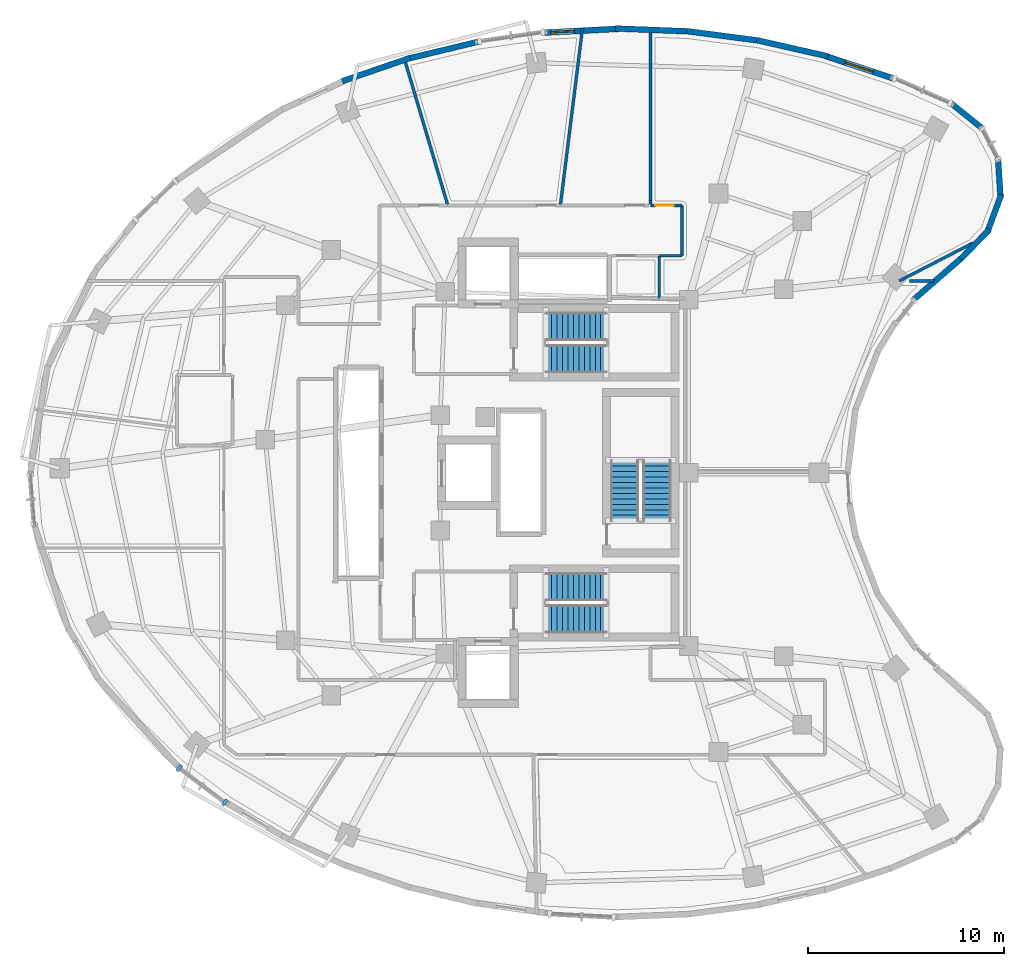
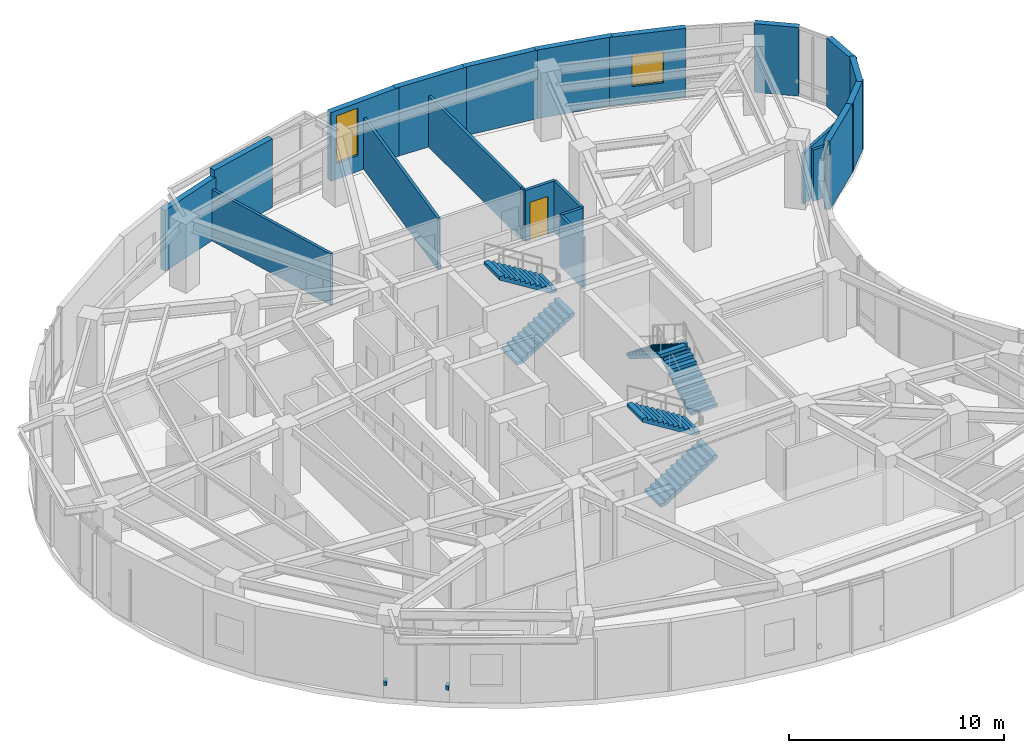
# One storey, part 11 of 15: 22 walls, 6 stair flights, 2 discrete accessories, 2 windows, 1 door, 3 openings, 3 elements without a shape of their own.
"""IFC4 building model written with IfcOpenShell, lengths in metres."""

from ifc_helpers import new_model, si_unit, direction, frame, frame_2d, origin, origin_2d, place, context, subcontext, project, spatial, polyline, rectangle, outline, extrude, material, layer, layer_set, type_object, element, fill, aggregate, save


model = new_model("IFC4")

# Units and contexts
model_context = context("Model", 3, precision=1e-05, world=origin(), true_north=direction((0.0, 1.0)))
body_context = subcontext(model_context, "Body", "Model", "MODEL_VIEW")
ifc_project = project(units=[si_unit("LENGTHUNIT", "METRE"), si_unit("AREAUNIT", "SQUARE_METRE"), si_unit("VOLUMEUNIT", "CUBIC_METRE"), si_unit("PLANEANGLEUNIT", "RADIAN"), si_unit("MASSUNIT", "GRAM", prefix="KILO")], contexts=[model_context])

# Site, building, storey
site_placement = place(None, origin())
site = spatial("IfcSite", under=ifc_project, at=site_placement, CompositionType="ELEMENT")
building_placement = place(site_placement, origin())
building = spatial("IfcBuilding", under=site, at=building_placement, Name="Korentha Bioscience Tower", CompositionType="ELEMENT")
storey_placement = place(building_placement, frame((0.0, 0.0, 218.39990234375)))
storey = spatial("IfcBuildingStorey", under=building, at=storey_placement, Name="L50", CompositionType="ELEMENT", Elevation=218.39990234375)

# Wall, opening, door
ifc_material_1 = material(Name="Double-Stud Acoustic Gypsum", Category="gypsum")
ifc_layer_1 = layer(ifc_material_1, 0.14990234375, Name="Double-Stud Acoustic Gypsum")
ifc_layer_set_1 = layer_set([ifc_layer_1], Name="Double-Stud Acoustic Gypsum (IW-L150)")
wall_type_1 = type_object("IfcWallType", Name="Acoustic Laboratory Partition Wall 150", PredefinedType="PARTITIONING", material=ifc_layer_set_1)
wall_1_placement = place(storey_placement, frame((37.199951171875, 40.659912109375, 0.0), z_axis=(0.0, 0.0, 1.0), x_axis=(-1.0, 0.0, 0.0)))
wall_1 = element("IfcWall", 1, at=wall_1_placement, inside=storey, type_object=wall_type_1, Name="L50 Scientific Writing Quiet Alcove 07 Entrance Wall", PredefinedType="PARTITIONING", context=body_context, shape_type="SweptSolid", body=[
    extrude(rectangle(XDim=1.597900390625, YDim=0.14990234375, at=frame_2d((0.798828125, 0.0))), origin(), (0.0, 0.0, 1.0), 2.91015625),
])
opening_1_placement = place(wall_1_placement, frame((0.407958984375, 0.0, 0.0)))
opening_1 = element("IfcOpeningElement", 2, at=opening_1_placement, cuts=wall_1, Name="Opening ID-10L", PredefinedType="OPENING", context=body_context, shape_type="SweptSolid", body=[
    extrude(rectangle(XDim=0.949951171875, YDim=2.14990234375, at=frame_2d((0.47509765625, 1.074951171875))), frame((0.0, 0.08984375, 0.0), z_axis=(0.0, -1.0, 0.0), x_axis=(1.0, 0.0, 0.0)), (0.0, 0.0, 1.0), 0.1796875),
])
ifc_material_2 = material(Name="Phenolic Laminate Timber Core", Category="wood")
door_type = type_object("IfcDoorType", Name="Laboratory Single Leaf Door 950x2150 Left", OperationType="SINGLE_SWING_LEFT", PredefinedType="DOOR", material=ifc_material_2)
door_placement = place(opening_1_placement, origin())
door = element("IfcDoor", 3, at=door_placement, inside=storey, type_object=door_type, Name="L50 Scientific Writing Quiet Alcove 07 Door", OperationType="SINGLE_SWING_LEFT", OverallHeight=2.14990234375, OverallWidth=0.949951171875, PredefinedType="DOOR", context=body_context, shape_type="SweptSolid", body=[
    extrude(rectangle(XDim=0.949951171875, YDim=2.14990234375, at=frame_2d((0.47509765625, 1.074951171875))), frame((0.0, 0.02490234375, 0.0), z_axis=(0.0, -1.0, 0.0), x_axis=(1.0, 0.0, 0.0)), (0.0, 0.0, 1.0), 0.050048828125),
])
fill(opening_1, door)

# Walls
wall_2_placement = place(storey_placement, frame((35.60205078125, 40.923095703125, 0.0), z_axis=(0.0, 0.0, 1.0), x_axis=(0.0, 1.0, 0.0)))
element("IfcWall", 4, at=wall_2_placement, inside=storey, type_object=wall_type_1, Name="L50 Interior Partition 040", PredefinedType="PARTITIONING", context=body_context, shape_type="SweptSolid", body=[
    extrude(rectangle(XDim=8.833251953125, YDim=0.14990234375, at=frame_2d((4.41650390625, 0.0))), origin(), (0.0, 0.0, 1.0), 2.91015625),
])
wall_3_placement = place(storey_placement, frame((52.0673828125, 38.7421875, 0.0), z_axis=(0.0, 0.0, 1.0), x_axis=(-0.88895746022, -0.457989774907, 0.0)))
element("IfcWall", 5, at=wall_3_placement, inside=storey, type_object=wall_type_1, Name="L50 Interior Partition 041", PredefinedType="PARTITIONING", context=body_context, shape_type="SweptSolid", body=[
    extrude(rectangle(XDim=4.228271484375, YDim=0.14990234375, at=frame_2d((2.1142578125, 0.0))), origin(), (0.0, 0.0, 1.0), 2.91015625),
])
wall_4_placement = place(storey_placement, frame((48.81787109375, 36.798095703125, 0.0), z_axis=(0.0, 0.0, 1.0), x_axis=(1.0, 0.0, 0.0)))
element("IfcWall", 6, at=wall_4_placement, inside=storey, type_object=wall_type_1, Name="L50 Interior Partition 042", PredefinedType="PARTITIONING", context=body_context, shape_type="SweptSolid", body=[
    extrude(rectangle(XDim=1.25927734375, YDim=0.14990234375, at=frame_2d((0.629638671875, 0.0))), origin(), (0.0, 0.0, 1.0), 2.91015625),
])
wall_5_placement = place(storey_placement, frame((36.06005859375, 38.090087890625, 0.0), z_axis=(0.0, 0.0, 1.0), x_axis=(1.0, 0.0, 0.0)))
element("IfcWall", 7, at=wall_5_placement, inside=storey, type_object=wall_type_1, Name="L50 Interior Partition 045", PredefinedType="PARTITIONING", context=body_context, shape_type="SweptSolid", body=[
    extrude(rectangle(XDim=1.139892578125, YDim=0.14990234375, at=frame_2d((0.56982421875, 0.0))), origin(), (0.0, 0.0, 1.0), 2.91015625),
])
wall_6_placement = place(storey_placement, frame((37.2099609375, 38.10009765625, 0.0), z_axis=(0.0, 0.0, 1.0), x_axis=(0.0, 1.0, 0.0)))
element("IfcWall", 8, at=wall_6_placement, inside=storey, type_object=wall_type_1, Name="L50 Interior Partition 046", PredefinedType="PARTITIONING", context=body_context, shape_type="SweptSolid", body=[
    extrude(rectangle(XDim=2.5498046875, YDim=0.14990234375, at=frame_2d((1.27490234375, 0.0))), origin(), (0.0, 0.0, 1.0), 2.91015625),
])
wall_7_placement = place(storey_placement, frame((35.60205078125, 40.738037109375, 0.0), z_axis=(0.0, 0.0, 1.0), x_axis=(0.0, 1.0, 0.0)))
element("IfcWall", 9, at=wall_7_placement, inside=storey, type_object=wall_type_1, Name="L50 Interior Partition 047", PredefinedType="PARTITIONING", context=body_context, shape_type="SweptSolid", body=[
    extrude(rectangle(XDim=0.175048828125, YDim=0.14990234375, at=frame_2d((0.08740234375, 0.0))), origin(), (0.0, 0.0, 1.0), 2.91015625),
])
wall_8_placement = place(storey_placement, frame((30.987060546875, 40.659912109375, 0.0), z_axis=(0.0, 0.0, 1.0), x_axis=(0.123837473271, 0.992302514465, 0.0)))
element("IfcWall", 10, at=wall_8_placement, inside=storey, type_object=wall_type_1, Name="L50 Interior Partition 048", PredefinedType="PARTITIONING", context=body_context, shape_type="SweptSolid", body=[
    extrude(rectangle(XDim=9.1396484375, YDim=0.14990234375, at=frame_2d((4.56982421875, 0.0))), origin(), (0.0, 0.0, 1.0), 2.91015625),
])
wall_9_placement = place(storey_placement, frame((25.23583984375, 40.659912109375, 0.0), z_axis=(0.0, 0.0, 1.0), x_axis=(-0.284007193362, 0.958822149368, 0.0)))
element("IfcWall", 11, at=wall_9_placement, inside=storey, type_object=wall_type_1, Name="L50 Interior Partition 049", PredefinedType="PARTITIONING", context=body_context, shape_type="SweptSolid", body=[
    extrude(rectangle(XDim=7.888916015625, YDim=0.14990234375, at=frame_2d((3.9443359375, 0.0))), origin(), (0.0, 0.0, 1.0), 2.91015625),
])

# Wall, opening, window
ifc_material_3 = material(Name="Honed Limestone Precast Concrete C40", Category="masonry")
ifc_layer_2 = layer(ifc_material_3, 0.300048828125, Name="Honed Limestone Precast Concrete C40")
ifc_layer_set_2 = layer_set([ifc_layer_2], Name="Honed Limestone Precast Concrete C40 (EW-ST300)")
wall_type_2 = type_object("IfcWallType", Name="Honed Limestone Cavity Spandrel Wall 300", PredefinedType="STANDARD", material=ifc_layer_set_2)
wall_10_placement = place(storey_placement, frame((47.97265625, 47.163818359375, 0.0), z_axis=(0.0, 0.0, 1.0), x_axis=(-0.949704682455, 0.313146956114, 0.0)))
wall_10 = element("IfcWall", 12, at=wall_10_placement, inside=storey, type_object=wall_type_2, Name="L50 Honed Limestone Spandrel Wall 02", PredefinedType="STANDARD", context=body_context, shape_type="SweptSolid", body=[
    extrude(rectangle(XDim=3.639404296875, YDim=0.300048828125, at=frame_2d((1.81982421875, 0.0))), origin(), (0.0, 0.0, 1.0), 3.900146484375),
])
opening_2_placement = place(wall_10_placement, frame((1.069580078125, 0.0, 0.949951171875)))
opening_2 = element("IfcOpeningElement", 13, at=opening_2_placement, cuts=wall_10, Name="Opening WN-02", PredefinedType="OPENING", context=body_context, shape_type="SweptSolid", body=[
    extrude(rectangle(XDim=1.5, YDim=1.800048828125, at=frame_2d((0.75, 0.89990234375))), frame((0.0, 0.1650390625, 0.0), z_axis=(0.0, -1.0, 0.0), x_axis=(1.0, 0.0, 0.0)), (0.0, 0.0, 1.0), 0.329833984375),
])
ifc_material_4 = material(Name="Thermally Broken Aluminium Triple Glazing", Category="aluminium")
window_type_1 = type_object("IfcWindowType", Name="Acoustic Operable Office Window 1500x1800", PartitioningType="DOUBLE_PANEL_VERTICAL", PredefinedType="WINDOW", material=ifc_material_4)
window_1_placement = place(opening_2_placement, origin())
window_1 = element("IfcWindow", 14, at=window_1_placement, inside=storey, type_object=window_type_1, Name="L50 Facade Window 02", OverallHeight=1.800048828125, OverallWidth=1.5, PartitioningType="DOUBLE_PANEL_VERTICAL", PredefinedType="WINDOW", context=body_context, shape_type="SweptSolid", body=[
    extrude(rectangle(XDim=1.5, YDim=1.800048828125, at=frame_2d((0.75, 0.89990234375))), frame((0.0, 0.030029296875, 0.0), z_axis=(0.0, -1.0, 0.0), x_axis=(1.0, 0.0, 0.0)), (0.0, 0.0, 1.0), 0.06005859375),
])
fill(opening_2, window_1)

wall_11_placement = place(storey_placement, frame((33.95849609375, 49.6875, 0.0), z_axis=(0.0, 0.0, 1.0), x_axis=(-0.998693948377, -0.051092049037, 0.0)))
wall_11 = element("IfcWall", 15, at=wall_11_placement, inside=storey, type_object=wall_type_2, Name="L50 Honed Limestone Spandrel Wall 06", PredefinedType="STANDARD", context=body_context, shape_type="SweptSolid", body=[
    extrude(rectangle(XDim=3.765380859375, YDim=0.300048828125, at=frame_2d((1.8828125, 0.0))), origin(), (0.0, 0.0, 1.0), 3.900146484375),
])
opening_3_placement = place(wall_11_placement, frame((2.256591796875, 0.0, 0.89990234375)))
opening_3 = element("IfcOpeningElement", 16, at=opening_3_placement, cuts=wall_11, Name="Opening WN-03", PredefinedType="OPENING", context=body_context, shape_type="SweptSolid", body=[
    extrude(rectangle(XDim=1.199951171875, YDim=2.699951171875, at=frame_2d((0.60009765625, 1.35009765625))), frame((0.0, 0.1650390625, 0.0), z_axis=(0.0, -1.0, 0.0), x_axis=(1.0, 0.0, 0.0)), (0.0, 0.0, 1.0), 0.329833984375),
])
window_type_2 = type_object("IfcWindowType", Name="Theatre Foyer Tall Ribbon Window 1200x2700", PartitioningType="SINGLE_PANEL", PredefinedType="WINDOW", material=ifc_material_4)
window_2_placement = place(opening_3_placement, origin())
window_2 = element("IfcWindow", 17, at=window_2_placement, inside=storey, type_object=window_type_2, Name="L50 Facade Window 06", OverallHeight=2.699951171875, OverallWidth=1.199951171875, PartitioningType="SINGLE_PANEL", PredefinedType="WINDOW", context=body_context, shape_type="SweptSolid", body=[
    extrude(rectangle(XDim=1.199951171875, YDim=2.699951171875, at=frame_2d((0.60009765625, 1.35009765625))), frame((0.0, 0.030029296875, 0.0), z_axis=(0.0, -1.0, 0.0), x_axis=(1.0, 0.0, 0.0)), (0.0, 0.0, 1.0), 0.06005859375),
])
fill(opening_3, window_2)

# Walls
wall_12_placement = place(storey_placement, frame((44.67041015625, 48.282470703125, 0.0), z_axis=(0.0, 0.0, 1.0), x_axis=(-0.975241674184, 0.221141757557, 0.0)))
element("IfcWall", 18, at=wall_12_placement, inside=storey, type_object=wall_type_2, Name="L50 Limestone Perimeter Closure Wall 03", PredefinedType="STANDARD", context=body_context, shape_type="SweptSolid", body=[
    extrude(rectangle(XDim=3.74267578125, YDim=0.300048828125, at=frame_2d((1.871337890625, 0.0))), origin(), (0.0, 0.0, 1.0), 3.900146484375),
])
wall_13_placement = place(storey_placement, frame((41.190673828125, 49.079833984375, 0.0), z_axis=(0.0, 0.0, 1.0), x_axis=(-0.991512801574, 0.130009093201, 0.0)))
element("IfcWall", 19, at=wall_13_placement, inside=storey, type_object=wall_type_2, Name="L50 Limestone Perimeter Closure Wall 04", PredefinedType="STANDARD", context=body_context, shape_type="SweptSolid", body=[
    extrude(rectangle(XDim=3.785888671875, YDim=0.300048828125, at=frame_2d((1.89306640625, 0.0))), origin(), (0.0, 0.0, 1.0), 3.900146484375),
])
wall_14_placement = place(storey_placement, frame((37.60888671875, 49.557373046875, 0.0), z_axis=(0.0, 0.0, 1.0), x_axis=(-0.999221923177, 0.039440439173, 0.0)))
element("IfcWall", 20, at=wall_14_placement, inside=storey, type_object=wall_type_2, Name="L50 Limestone Perimeter Closure Wall 05", PredefinedType="STANDARD", context=body_context, shape_type="SweptSolid", body=[
    extrude(rectangle(XDim=3.806884765625, YDim=0.300048828125, at=frame_2d((1.9033203125, 0.0))), origin(), (0.0, 0.0, 1.0), 3.900146484375),
])
wall_15_placement = place(storey_placement, frame((26.775146484375, 49.027099609375, 0.0), z_axis=(0.0, 0.0, 1.0), x_axis=(-0.972475629939, -0.233004611918, 0.0)))
element("IfcWall", 21, at=wall_15_placement, inside=storey, type_object=wall_type_2, Name="L50 Limestone Perimeter Closure Wall 08", PredefinedType="STANDARD", context=body_context, shape_type="SweptSolid", body=[
    extrude(rectangle(XDim=3.7353515625, YDim=0.300048828125, at=frame_2d((1.86767578125, 0.0))), origin(), (0.0, 0.0, 1.0), 3.900146484375),
])
wall_16_placement = place(storey_placement, frame((23.30908203125, 48.205078125, 0.0), z_axis=(0.0, 0.0, 1.0), x_axis=(-0.945722383555, -0.32497565023, 0.0)))
element("IfcWall", 22, at=wall_16_placement, inside=storey, type_object=wall_type_2, Name="L50 Limestone Perimeter Closure Wall 09", PredefinedType="STANDARD", context=body_context, shape_type="SweptSolid", body=[
    extrude(rectangle(XDim=3.669921875, YDim=0.300048828125, at=frame_2d((1.8349609375, 0.0))), origin(), (0.0, 0.0, 1.0), 3.47021484375),
])
wall_17_placement = place(storey_placement, frame((49.039794921875, 35.840087890625, 0.0), z_axis=(0.0, 0.0, 1.0), x_axis=(0.754679026761, 0.656094175075, 0.0)))
element("IfcWall", 23, at=wall_17_placement, inside=storey, type_object=wall_type_2, Name="L50 Limestone Perimeter Closure Wall 56", PredefinedType="STANDARD", context=body_context, shape_type="SweptSolid", body=[
    extrude(rectangle(XDim=3.360595703125, YDim=0.300048828125, at=frame_2d((1.68017578125, 0.0))), origin(), (0.0, 0.0, 1.0), 3.900146484375),
])
for number, where, z_axis, x_axis, name in (
    (24, (51.451416015625, 37.9267578125, 0.0), (0.0, 0.0, 1.0), (0.695810272174, 0.718225636647, 0.0), "L50 Limestone Perimeter Closure Wall 58"),
    (25, (52.79248046875, 39.247314453125, 0.0), (0.0, 0.0, 1.0), (0.346359858312, 0.93810172612, 0.0), "L50 Limestone Perimeter Closure Wall 59"),
    (26, (53.485595703125, 40.997314453125, 0.0), (0.0, 0.0, 1.0), (-0.06186954965, 0.998084244353, 0.0), "L50 Limestone Perimeter Closure Wall 60"),
):
    element("IfcWall", number, at=place(storey_placement, frame(where, z_axis=z_axis, x_axis=x_axis)), inside=storey, type_object=wall_type_2, Name=name, PredefinedType="STANDARD", context=body_context, shape_type="SweptSolid", body=[
        extrude(rectangle(XDim=2.09130859375, YDim=0.300048828125, at=frame_2d((1.045654296875, 0.0))), origin(), (0.0, 0.0, 1.0), 3.900146484375),
    ])
wall_18_placement = place(storey_placement, frame((52.587646484375, 44.5693359375, 0.0), z_axis=(0.0, 0.0, 1.0), x_axis=(-0.779157679167, 0.6268279756, 0.0)))
element("IfcWall", 27, at=wall_18_placement, inside=storey, type_object=wall_type_2, Name="L50 Limestone Perimeter Closure Wall 62", PredefinedType="STANDARD", context=body_context, shape_type="SweptSolid", body=[
    extrude(rectangle(XDim=2.091552734375, YDim=0.300048828125, at=frame_2d((1.0458984375, 0.0))), origin(), (0.0, 0.0, 1.0), 3.900146484375),
])
ifc_material_5 = material(Name="Cement-Board Steel Stud", Category="steel")
ifc_layer_3 = layer(ifc_material_5, 0.1298828125, Name="Cement-Board Steel Stud")
ifc_layer_set_3 = layer_set([ifc_layer_3], Name="Cement-Board Steel Stud (IW-W130)")
wall_type_3 = type_object("IfcWallType", Name="Wet-Area Moisture-Resistant Partition 130", PredefinedType="PARTITIONING", material=ifc_layer_set_3)
wall_19_placement = place(storey_placement, frame((36.050048828125, 38.090087890625, 0.0), z_axis=(0.0, 0.0, 1.0), x_axis=(0.0, -1.0, 0.0)))
element("IfcWall", 28, at=wall_19_placement, inside=storey, type_object=wall_type_3, Name="L50 Interior Partition 015", PredefinedType="PARTITIONING", context=body_context, shape_type="SweptSolid", body=[
    extrude(rectangle(XDim=2.18017578125, YDim=0.1298828125, at=frame_2d((1.090087890625, 0.0))), origin(), (0.0, 0.0, 1.0), 2.91015625),
])

# Stair, stair flights
ifc_material_6 = material(Name="Precast Concrete C50", Category="concrete")
stair_type = type_object("IfcStairType", Name="Core Exit Dog-Leg Stair 1450", PredefinedType="HALF_TURN_STAIR", material=ifc_material_6)
stair_1_placement = place(storey_placement, origin())
stair_1 = element("IfcStair", 29, at=stair_1_placement, inside=storey, type_object=stair_type, Name="L50 Tower North Pressurized Exit Stair ST-1", PredefinedType="HALF_TURN_STAIR")
stair_flight_type = type_object("IfcStairFlightType", Name="Core Exit Dog-Leg Stair 1450 Flight", PredefinedType="STRAIGHT", material=ifc_material_6)
stair_flight_1_placement = place(storey_placement, frame((30.25, 32.824951171875, 0.0), z_axis=(0.0, 0.0, 1.0), x_axis=(1.0, 0.0, 0.0)))
stair_flight_1 = element("IfcStairFlight", 30, at=stair_flight_1_placement, type_object=stair_flight_type, Name="ST-1 flight 1", NumberOfRisers=12, NumberOfTreads=11, PredefinedType="STRAIGHT", RiserHeight=0.175, TreadLength=0.28, context=body_context, shape_type="SweptSolid", body=[
    extrude(outline(polyline([(0.0, 0.0), (0.0, 0.175048828125), (0.280029296875, 0.175048828125), (0.280029296875, 0.35009765625), (0.56005859375, 0.35009765625), (0.56005859375, 0.52490234375), (0.840087890625, 0.52490234375), (0.840087890625, 0.699951171875), (1.1201171875, 0.699951171875), (1.1201171875, 0.875), (1.39990234375, 0.875), (1.39990234375, 1.050048828125), (1.679931640625, 1.050048828125), (1.679931640625, 1.22509765625), (1.9599609375, 1.22509765625), (1.9599609375, 1.39990234375), (2.239990234375, 1.39990234375), (2.239990234375, 1.574951171875), (2.52001953125, 1.574951171875), (2.52001953125, 1.75), (2.800048828125, 1.75), (2.800048828125, 1.925048828125), (3.080078125, 1.925048828125), (3.080078125, 2.10009765625), (3.080078125, 1.736328125), (0.3017578125, 0.0), (0.0, 0.0)])), frame((0.0, 0.72509765625, 0.0), z_axis=(0.0, -1.0, 0.0), x_axis=(1.0, 0.0, 0.0)), (0.0, 0.0, 1.0), 1.449951171875),
])
stair_flight_2_placement = place(storey_placement, frame((33.330078125, 34.47509765625, 2.10009765625), z_axis=(0.0, 0.0, 1.0), x_axis=(-1.0, 0.0, 0.0)))
stair_flight_2 = element("IfcStairFlight", 31, at=stair_flight_2_placement, type_object=stair_flight_type, Name="ST-1 flight 2", NumberOfRisers=12, NumberOfTreads=11, PredefinedType="STRAIGHT", RiserHeight=0.175, TreadLength=0.28, context=body_context, shape_type="SweptSolid", body=[
    extrude(outline(polyline([(0.0, 0.0), (0.0, 0.175048828125), (0.280029296875, 0.175048828125), (0.280029296875, 0.35009765625), (0.56005859375, 0.35009765625), (0.56005859375, 0.52490234375), (0.840087890625, 0.52490234375), (0.840087890625, 0.699951171875), (1.1201171875, 0.699951171875), (1.1201171875, 0.875), (1.39990234375, 0.875), (1.39990234375, 1.050048828125), (1.679931640625, 1.050048828125), (1.679931640625, 1.22509765625), (1.9599609375, 1.22509765625), (1.9599609375, 1.39990234375), (2.239990234375, 1.39990234375), (2.239990234375, 1.574951171875), (2.52001953125, 1.574951171875), (2.52001953125, 1.75), (2.800048828125, 1.75), (2.800048828125, 1.925048828125), (3.080078125, 1.925048828125), (3.080078125, 2.10009765625), (3.080078125, 1.736328125), (0.3017578125, 0.0), (0.0, 0.0)])), frame((0.0, 0.72509765625, 0.0), z_axis=(0.0, -1.0, 0.0), x_axis=(1.0, 0.0, 0.0)), (0.0, 0.0, 1.0), 1.449951171875),
])
aggregate(stair_1, [stair_flight_1, stair_flight_2])

stair_2_placement = place(storey_placement, origin())
stair_2 = element("IfcStair", 32, at=stair_2_placement, inside=storey, type_object=stair_type, Name="L50 Tower South Pressurized Exit Stair ST-2", PredefinedType="HALF_TURN_STAIR")
stair_flight_3_placement = place(storey_placement, frame((30.25, 19.52490234375, 0.0), z_axis=(0.0, 0.0, 1.0), x_axis=(1.0, 0.0, 0.0)))
stair_flight_3 = element("IfcStairFlight", 33, at=stair_flight_3_placement, type_object=stair_flight_type, Name="ST-2 flight 1", NumberOfRisers=12, NumberOfTreads=11, PredefinedType="STRAIGHT", RiserHeight=0.175, TreadLength=0.28, context=body_context, shape_type="SweptSolid", body=[
    extrude(outline(polyline([(0.0, 0.0), (0.0, 0.175048828125), (0.280029296875, 0.175048828125), (0.280029296875, 0.35009765625), (0.56005859375, 0.35009765625), (0.56005859375, 0.52490234375), (0.840087890625, 0.52490234375), (0.840087890625, 0.699951171875), (1.1201171875, 0.699951171875), (1.1201171875, 0.875), (1.39990234375, 0.875), (1.39990234375, 1.050048828125), (1.679931640625, 1.050048828125), (1.679931640625, 1.22509765625), (1.9599609375, 1.22509765625), (1.9599609375, 1.39990234375), (2.239990234375, 1.39990234375), (2.239990234375, 1.574951171875), (2.52001953125, 1.574951171875), (2.52001953125, 1.75), (2.800048828125, 1.75), (2.800048828125, 1.925048828125), (3.080078125, 1.925048828125), (3.080078125, 2.10009765625), (3.080078125, 1.736328125), (0.3017578125, 0.0), (0.0, 0.0)])), frame((0.0, 0.72509765625, 0.0), z_axis=(0.0, -1.0, 0.0), x_axis=(1.0, 0.0, 0.0)), (0.0, 0.0, 1.0), 1.449951171875),
])
stair_flight_4_placement = place(storey_placement, frame((33.330078125, 21.175048828125, 2.10009765625), z_axis=(0.0, 0.0, 1.0), x_axis=(-1.0, 0.0, 0.0)))
stair_flight_4 = element("IfcStairFlight", 34, at=stair_flight_4_placement, type_object=stair_flight_type, Name="ST-2 flight 2", NumberOfRisers=12, NumberOfTreads=11, PredefinedType="STRAIGHT", RiserHeight=0.175, TreadLength=0.28, context=body_context, shape_type="SweptSolid", body=[
    extrude(outline(polyline([(0.0, 0.0), (0.0, 0.175048828125), (0.280029296875, 0.175048828125), (0.280029296875, 0.35009765625), (0.56005859375, 0.35009765625), (0.56005859375, 0.52490234375), (0.840087890625, 0.52490234375), (0.840087890625, 0.699951171875), (1.1201171875, 0.699951171875), (1.1201171875, 0.875), (1.39990234375, 0.875), (1.39990234375, 1.050048828125), (1.679931640625, 1.050048828125), (1.679931640625, 1.22509765625), (1.9599609375, 1.22509765625), (1.9599609375, 1.39990234375), (2.239990234375, 1.39990234375), (2.239990234375, 1.574951171875), (2.52001953125, 1.574951171875), (2.52001953125, 1.75), (2.800048828125, 1.75), (2.800048828125, 1.925048828125), (3.080078125, 1.925048828125), (3.080078125, 2.10009765625), (3.080078125, 1.736328125), (0.3017578125, 0.0), (0.0, 0.0)])), frame((0.0, 0.72509765625, 0.0), z_axis=(0.0, -1.0, 0.0), x_axis=(1.0, 0.0, 0.0)), (0.0, 0.0, 1.0), 1.449951171875),
])
aggregate(stair_2, [stair_flight_3, stair_flight_4])

stair_3_placement = place(storey_placement, origin())
stair_3 = element("IfcStair", 35, at=stair_3_placement, inside=storey, type_object=stair_type, Name="L50 Tower Central Pressurized Exit Stair ST-3", PredefinedType="HALF_TURN_STAIR")
stair_flight_5_placement = place(storey_placement, frame((35.925048828125, 24.550048828125, 0.0), z_axis=(0.0, 0.0, 1.0), x_axis=(0.0, 1.0, 0.0)))
stair_flight_5 = element("IfcStairFlight", 36, at=stair_flight_5_placement, type_object=stair_flight_type, Name="ST-3 flight 1", NumberOfRisers=12, NumberOfTreads=11, PredefinedType="STRAIGHT", RiserHeight=0.175, TreadLength=0.28, context=body_context, shape_type="SweptSolid", body=[
    extrude(outline(polyline([(0.0, 0.0), (0.0, 0.175048828125), (0.280029296875, 0.175048828125), (0.280029296875, 0.35009765625), (0.56005859375, 0.35009765625), (0.56005859375, 0.52490234375), (0.840087890625, 0.52490234375), (0.840087890625, 0.699951171875), (1.1201171875, 0.699951171875), (1.1201171875, 0.875), (1.39990234375, 0.875), (1.39990234375, 1.050048828125), (1.679931640625, 1.050048828125), (1.679931640625, 1.22509765625), (1.9599609375, 1.22509765625), (1.9599609375, 1.39990234375), (2.239990234375, 1.39990234375), (2.239990234375, 1.574951171875), (2.52001953125, 1.574951171875), (2.52001953125, 1.75), (2.800048828125, 1.75), (2.800048828125, 1.925048828125), (3.080078125, 1.925048828125), (3.080078125, 2.10009765625), (3.080078125, 1.736328125), (0.3017578125, 0.0), (0.0, 0.0)])), frame((0.0, 0.72509765625, 0.0), z_axis=(0.0, -1.0, 0.0), x_axis=(1.0, 0.0, 0.0)), (0.0, 0.0, 1.0), 1.449951171875),
])
stair_flight_6_placement = place(storey_placement, frame((34.27490234375, 27.6298828125, 2.10009765625), z_axis=(0.0, 0.0, 1.0), x_axis=(0.0, -1.0, 0.0)))
stair_flight_6 = element("IfcStairFlight", 37, at=stair_flight_6_placement, type_object=stair_flight_type, Name="ST-3 flight 2", NumberOfRisers=12, NumberOfTreads=11, PredefinedType="STRAIGHT", RiserHeight=0.175, TreadLength=0.28, context=body_context, shape_type="SweptSolid", body=[
    extrude(outline(polyline([(0.0, 0.0), (0.0, 0.175048828125), (0.280029296875, 0.175048828125), (0.280029296875, 0.35009765625), (0.56005859375, 0.35009765625), (0.56005859375, 0.52490234375), (0.840087890625, 0.52490234375), (0.840087890625, 0.699951171875), (1.1201171875, 0.699951171875), (1.1201171875, 0.875), (1.39990234375, 0.875), (1.39990234375, 1.050048828125), (1.679931640625, 1.050048828125), (1.679931640625, 1.22509765625), (1.9599609375, 1.22509765625), (1.9599609375, 1.39990234375), (2.239990234375, 1.39990234375), (2.239990234375, 1.574951171875), (2.52001953125, 1.574951171875), (2.52001953125, 1.75), (2.800048828125, 1.75), (2.800048828125, 1.925048828125), (3.080078125, 1.925048828125), (3.080078125, 2.10009765625), (3.080078125, 1.736328125), (0.3017578125, 0.0), (0.0, 0.0)])), frame((0.0, 0.72509765625, 0.0), z_axis=(0.0, -1.0, 0.0), x_axis=(1.0, 0.0, 0.0)), (0.0, 0.0, 1.0), 1.449951171875),
])
aggregate(stair_3, [stair_flight_5, stair_flight_6])

# Discrete accessories
ifc_material_7 = material(Name="Stainless Steel 316", Category="steel")
discrete_accessory_type = type_object("IfcDiscreteAccessoryType", Name="Stainless Steel Solar-Screen Outrigger Bracket", PredefinedType="BRACKET", material=ifc_material_7)
for number, where, z_axis, x_axis, name in (
    (38, (11.51513671875, 11.904296875, 0.740234375), (0.0, 0.0, 1.0), (0.796889131105, -0.604125576951, 0.0), "CW-L50-25 Solar-Screen Support Bracket 1"),
    (39, (13.833251953125, 10.147216796875, 0.740234375), (0.0, 0.0, 1.0), (0.796889131105, -0.604125576951, 0.0), "CW-L50-25 Solar-Screen Support Bracket 2"),
):
    element("IfcDiscreteAccessory", number, at=place(storey_placement, frame(where, z_axis=z_axis, x_axis=x_axis)), inside=storey, type_object=discrete_accessory_type, Name=name, PredefinedType="BRACKET", context=body_context, shape_type="SweptSolid", body=[
        extrude(rectangle(XDim=0.159912109375, YDim=0.360107421875, at=origin_2d()), origin(), (0.0, 0.0, 1.0), 0.219970703125),
    ])

save(model, "model.ifc")
